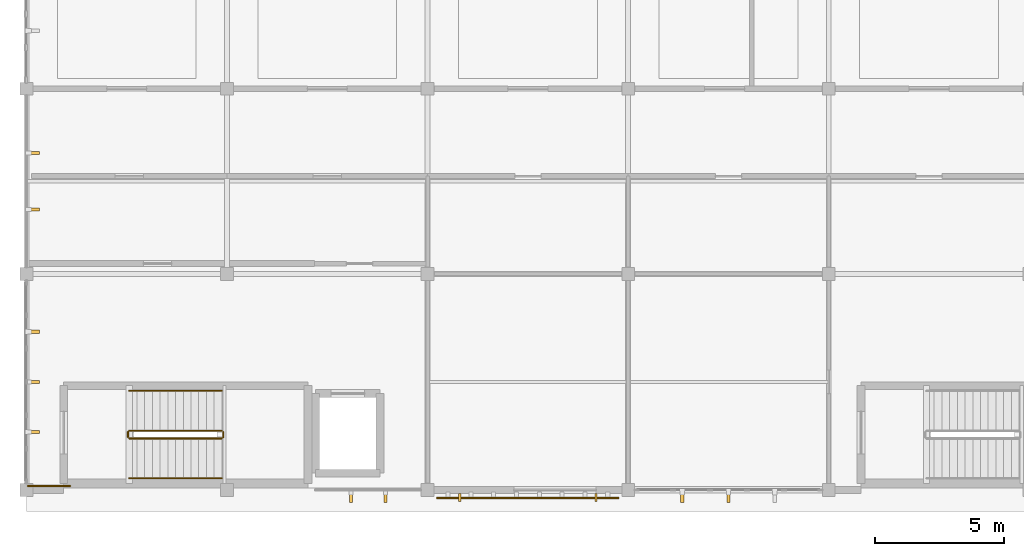
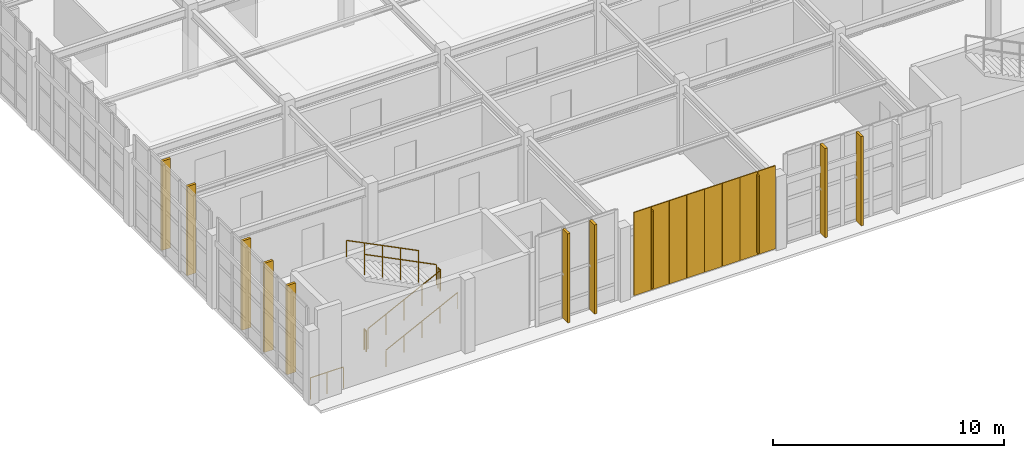
# One storey, part 16 of 20: 17 coverings, 7 railings, 2 shading devices.
"""IFC4 building model written with IfcOpenShell, lengths in metres."""

from ifc_helpers import new_model, si_unit, direction, frame, origin, origin_2d, place, context, subcontext, project, spatial, rectangle, circle, extrude, material, layer, layer_set, type_object, element, save


model = new_model("IFC4")

# Units and contexts
model_context = context("Model", 3, precision=1e-05, world=origin(), true_north=direction((0.0, 1.0)))
body_context = subcontext(model_context, "Body", "Model", "MODEL_VIEW")
ifc_project = project(units=[si_unit("LENGTHUNIT", "METRE"), si_unit("AREAUNIT", "SQUARE_METRE"), si_unit("VOLUMEUNIT", "CUBIC_METRE"), si_unit("PLANEANGLEUNIT", "RADIAN"), si_unit("MASSUNIT", "GRAM", prefix="KILO")], contexts=[model_context])

# Site, building, storey
site_placement = place(None, origin())
site = spatial("IfcSite", under=ifc_project, at=site_placement, CompositionType="ELEMENT")
building_placement = place(site_placement, origin())
building = spatial("IfcBuilding", under=site, at=building_placement, Name="Tizgana Railside Sports Hall", CompositionType="ELEMENT")
storey_placement = place(building_placement, frame((0.0, 0.0, 19.800048828125)))
storey = spatial("IfcBuildingStorey", under=building, at=storey_placement, Name="L04", CompositionType="ELEMENT", Elevation=19.800048828125)

# Shading devices
ifc_material_1 = material(Name="Glulam GL28h", Category="wood")
shading_device_type = type_object("IfcShadingDeviceType", Name="Glulam Vertical Brise-Soleil Fin 320", PredefinedType="JALOUSIE", material=ifc_material_1)
for number, where, z_axis, x_axis, name in (
    (1, (29.949951171875, -0.2939453125, 0.349853515625), (0.0, 0.0, 1.0), (-1.0, 0.0, 0.0), "L04 Glulam Fin FIN-0051"),
    (2, (24.64990234375, -0.2939453125, 0.349853515625), (0.0, 0.0, 1.0), (-1.0, 0.0, 0.0), "L04 Glulam Fin FIN-0052"),
):
    element("IfcShadingDevice", number, at=place(storey_placement, frame(where, z_axis=z_axis, x_axis=x_axis)), inside=storey, type_object=shading_device_type, Name=name, PredefinedType="JALOUSIE", context=body_context, shape_type="SweptSolid", body=[
        extrude(rectangle(XDim=0.080078125, YDim=0.320068359375, at=origin_2d()), origin(), (0.0, 0.0, 1.0), 4.10009765625),
    ])

# Coverings
ifc_layer_1 = layer(ifc_material_1, 0.139892578125, Name="Glulam GL28h")
ifc_layer_set_1 = layer_set([ifc_layer_1], Name="Glulam GL28h")
covering_type_1 = type_object("IfcCoveringType", Name="Mass-Timber Brise-Soleil & Pergola Fin", PredefinedType="CLADDING", material=ifc_layer_set_1)
for number, where, z_axis, x_axis, name in (
    (3, (21.756591796875, -0.280029296875, 0.0400390625), (0.0, 0.0, 1.0), (-1.0, 0.0, 0.0), "L04 Timber Brise-Soleil Fin"),
    (4, (20.418212890625, -0.280029296875, 0.0400390625), (0.0, 0.0, 1.0), (-1.0, 0.0, 0.0), "L04 Timber Brise-Soleil Fin"),
    (5, (35.10009765625, -0.280029296875, 0.0400390625), (0.0, 0.0, 1.0), (-1.0, 0.0, 0.0), "L04 Timber Brise-Soleil Fin"),
    (6, (33.302490234375, -0.280029296875, 0.0400390625), (0.0, 0.0, 1.0), (-1.0, 0.0, 0.0), "L04 Timber Brise-Soleil Fin"),
    (7, (8.080078125, 6.1474609375, 0.0400390625), (0.0, 0.0, 1.0), (0.0, -1.0, 0.0), "L04 Timber Brise-Soleil Fin"),
    (8, (8.080078125, 4.199951171875, 0.0400390625), (0.0, 0.0, 1.0), (0.0, -1.0, 0.0), "L04 Timber Brise-Soleil Fin"),
    (9, (8.080078125, 2.25244140625, 0.0400390625), (0.0, 0.0, 1.0), (0.0, -1.0, 0.0), "L04 Timber Brise-Soleil Fin"),
    (10, (8.080078125, 13.098388671875, 0.0400390625), (0.0, 0.0, 1.0), (0.0, -1.0, 0.0), "L04 Timber Brise-Soleil Fin"),
    (11, (8.080078125, 10.901611328125, 0.0400390625), (0.0, 0.0, 1.0), (0.0, -1.0, 0.0), "L04 Timber Brise-Soleil Fin"),
):
    element("IfcCovering", number, at=place(storey_placement, frame(where, z_axis=z_axis, x_axis=x_axis)), inside=storey, type_object=covering_type_1, Name=name, PredefinedType="CLADDING", context=body_context, shape_type="SweptSolid", body=[
        extrude(rectangle(XDim=0.1201171875, YDim=0.43994140625, at=origin_2d()), origin(), (0.0, 0.0, 1.0), 4.719970703125),
    ])
ifc_material_2 = material(Name="Anodised perforated aluminium screen", Category="aluminium")
ifc_layer_2 = layer(ifc_material_2, 0.044921875, Name="Anodised perforated aluminium screen")
ifc_layer_set_2 = layer_set([ifc_layer_2], Name="Anodised perforated aluminium screen")
covering_type_2 = type_object("IfcCoveringType", Name="Perforated Aluminium Hall Screen 900", PredefinedType="CLADDING", material=ifc_layer_set_2)
for number, where, z_axis, x_axis, name in (
    (12, (30.40625, -0.31494140625, 0.199951171875), (0.0, 0.0, 1.0), (-1.0, 0.0, 0.0), "L04 Perforated Screen SCR-0606"),
    (13, (29.518798828125, -0.31494140625, 0.199951171875), (0.0, 0.0, 1.0), (-1.0, 0.0, 0.0), "L04 Perforated Screen SCR-0607"),
    (14, (28.631103515625, -0.31494140625, 0.199951171875), (0.0, 0.0, 1.0), (-1.0, 0.0, 0.0), "L04 Perforated Screen SCR-0608"),
    (15, (27.74365234375, -0.31494140625, 0.199951171875), (0.0, 0.0, 1.0), (-1.0, 0.0, 0.0), "L04 Perforated Screen SCR-0609"),
    (16, (26.856201171875, -0.31494140625, 0.199951171875), (0.0, 0.0, 1.0), (-1.0, 0.0, 0.0), "L04 Perforated Screen SCR-0610"),
    (17, (25.96875, -0.31494140625, 0.199951171875), (0.0, 0.0, 1.0), (-1.0, 0.0, 0.0), "L04 Perforated Screen SCR-0611"),
    (18, (25.081298828125, -0.31494140625, 0.199951171875), (0.0, 0.0, 1.0), (-1.0, 0.0, 0.0), "L04 Perforated Screen SCR-0612"),
    (19, (24.19384765625, -0.31494140625, 0.199951171875), (0.0, 0.0, 1.0), (-1.0, 0.0, 0.0), "L04 Perforated Screen SCR-0613"),
):
    element("IfcCovering", number, at=place(storey_placement, frame(where, z_axis=z_axis, x_axis=x_axis)), inside=storey, type_object=covering_type_2, Name=name, PredefinedType="CLADDING", context=body_context, shape_type="SweptSolid", body=[
        extrude(rectangle(XDim=0.869384765625, YDim=0.044921875, at=origin_2d()), origin(), (0.0, 0.0, 1.0), 4.39990234375),
    ])

# Railings
ifc_material_3 = material(Name="Galvanised steel sheet", Category="steel")
railing_type_1 = type_object("IfcRailingType", Name="Safety Balustrade Guard 1100", PredefinedType="BALUSTRADE", material=ifc_material_3)
railing_1_placement = place(storey_placement, frame((11.800048828125, 2.0, 0.14990234375)))
element("IfcRailing", 20, at=railing_1_placement, inside=storey, type_object=railing_type_1, Name="L04 ST-01 stair guard 1", PredefinedType="BALUSTRADE", context=body_context, shape_type="SweptSolid", body=[
    extrude(circle(Radius=0.02392578125, at=origin_2d()), frame((0.0, 0.0, 1.076171875), z_axis=(0.894415058897, 0.0, 0.447237858884), x_axis=(0.0, 1.0, 0.0)), (0.0, 0.0, 1.0), 4.02490234375),
    extrude(circle(Radius=0.02099609375, at=origin_2d()), origin(), (0.0, 0.0, 1.0), 1.052001953125),
    extrude(circle(Radius=0.02099609375, at=origin_2d()), frame((0.89990234375, 0.0, 0.449951171875)), (0.0, 0.0, 1.0), 1.052001953125),
    extrude(circle(Radius=0.02099609375, at=origin_2d()), frame((1.7998046875, 0.0, 0.89990234375)), (0.0, 0.0, 1.0), 1.052001953125),
    extrude(circle(Radius=0.02099609375, at=origin_2d()), frame((2.699951171875, 0.0, 1.35009765625)), (0.0, 0.0, 1.0), 1.052001953125),
    extrude(circle(Radius=0.02099609375, at=origin_2d()), frame((3.599853515625, 0.0, 1.800048828125)), (0.0, 0.0, 1.0), 1.052001953125),
])
railing_2_placement = place(storey_placement, frame((15.449951171875, 2.050048828125, 1.949951171875)))
element("IfcRailing", 21, at=railing_2_placement, inside=storey, type_object=railing_type_1, Name="L04 ST-01 stair guard 2", PredefinedType="BALUSTRADE", context=body_context, shape_type="SweptSolid", body=[
    extrude(circle(Radius=0.02392578125, at=origin_2d()), frame((0.0, 0.0, 1.076171875), z_axis=(0.0, 1.0, 0.0), x_axis=(-1.0, 0.0, 0.0)), (0.0, 0.0, 1.0), 0.199951171875),
    extrude(circle(Radius=0.02099609375, at=origin_2d()), origin(), (0.0, 0.0, 1.0), 1.052001953125),
    extrude(circle(Radius=0.02099609375, at=origin_2d()), frame((0.0, 0.199951171875, 0.0)), (0.0, 0.0, 1.0), 1.052001953125),
])
railing_3_placement = place(storey_placement, frame((15.39990234375, 2.300048828125, 2.099853515625)))
element("IfcRailing", 22, at=railing_3_placement, inside=storey, type_object=railing_type_1, Name="L04 ST-01 stair guard 3", PredefinedType="BALUSTRADE", context=body_context, shape_type="SweptSolid", body=[
    extrude(circle(Radius=0.02392578125, at=origin_2d()), frame((0.0, 0.0, 1.076171875), z_axis=(-0.894415058897, 0.0, 0.447237858884), x_axis=(0.0, -1.0, 0.0)), (0.0, 0.0, 1.0), 4.02490234375),
    extrude(circle(Radius=0.02099609375, at=origin_2d()), origin(), (0.0, 0.0, 1.0), 1.052001953125),
    extrude(circle(Radius=0.02099609375, at=origin_2d()), frame((-0.89990234375, 0.0, 0.449951171875)), (0.0, 0.0, 1.0), 1.052001953125),
    extrude(circle(Radius=0.02099609375, at=origin_2d()), frame((-1.7998046875, 0.0, 0.89990234375)), (0.0, 0.0, 1.0), 1.052001953125),
    extrude(circle(Radius=0.02099609375, at=origin_2d()), frame((-2.699951171875, 0.0, 1.35009765625)), (0.0, 0.0, 1.0), 1.052001953125),
    extrude(circle(Radius=0.02099609375, at=origin_2d()), frame((-3.599853515625, 0.0, 1.800048828125)), (0.0, 0.0, 1.0), 1.052001953125),
])
railing_4_placement = place(storey_placement, frame((11.75, 2.050048828125, 0.0)))
element("IfcRailing", 23, at=railing_4_placement, inside=storey, type_object=railing_type_1, Name="L04 ST-01 stair guard 4", PredefinedType="BALUSTRADE", context=body_context, shape_type="SweptSolid", body=[
    extrude(circle(Radius=0.02392578125, at=origin_2d()), frame((0.0, 0.0, 1.076171875), z_axis=(0.0, 1.0, 0.0), x_axis=(-1.0, 0.0, 0.0)), (0.0, 0.0, 1.0), 0.199951171875),
    extrude(circle(Radius=0.02099609375, at=origin_2d()), origin(), (0.0, 0.0, 1.0), 1.052001953125),
    extrude(circle(Radius=0.02099609375, at=origin_2d()), frame((0.0, 0.199951171875, 0.0)), (0.0, 0.0, 1.0), 1.052001953125),
])
ifc_material_4 = material(Name="Brushed stainless steel", Category="steel")
railing_type_2 = type_object("IfcRailingType", Name="Stair & Ramp Wall Handrail 900", PredefinedType="HANDRAIL", material=ifc_material_4)
railing_5_placement = place(storey_placement, frame((11.800048828125, 0.449951171875, 0.14990234375)))
element("IfcRailing", 24, at=railing_5_placement, inside=storey, type_object=railing_type_2, Name="L04 ST-01 stair handrail 1", PredefinedType="HANDRAIL", context=body_context, shape_type="SweptSolid", body=[
    extrude(circle(Radius=0.02392578125, at=origin_2d()), frame((0.0, 0.0, 0.8759765625), z_axis=(0.894415058897, 0.0, 0.447237858884), x_axis=(0.0, 1.0, 0.0)), (0.0, 0.0, 1.0), 4.02490234375),
    extrude(circle(Radius=0.02099609375, at=origin_2d()), origin(), (0.0, 0.0, 1.0), 0.851806640625),
    extrude(circle(Radius=0.02099609375, at=origin_2d()), frame((0.89990234375, 0.0, 0.449951171875)), (0.0, 0.0, 1.0), 0.851806640625),
    extrude(circle(Radius=0.02099609375, at=origin_2d()), frame((1.7998046875, 0.0, 0.89990234375)), (0.0, 0.0, 1.0), 0.851806640625),
    extrude(circle(Radius=0.02099609375, at=origin_2d()), frame((2.699951171875, 0.0, 1.35009765625)), (0.0, 0.0, 1.0), 0.851806640625),
    extrude(circle(Radius=0.02099609375, at=origin_2d()), frame((3.599853515625, 0.0, 1.800048828125)), (0.0, 0.0, 1.0), 0.851806640625),
])
railing_6_placement = place(storey_placement, frame((15.39990234375, 3.85009765625, 2.099853515625)))
element("IfcRailing", 25, at=railing_6_placement, inside=storey, type_object=railing_type_2, Name="L04 ST-01 stair handrail 2", PredefinedType="HANDRAIL", context=body_context, shape_type="SweptSolid", body=[
    extrude(circle(Radius=0.02392578125, at=origin_2d()), frame((0.0, 0.0, 0.8759765625), z_axis=(-0.894415058897, 0.0, 0.447237858884), x_axis=(0.0, -1.0, 0.0)), (0.0, 0.0, 1.0), 4.02490234375),
    extrude(circle(Radius=0.02099609375, at=origin_2d()), origin(), (0.0, 0.0, 1.0), 0.851806640625),
    extrude(circle(Radius=0.02099609375, at=origin_2d()), frame((-0.89990234375, 0.0, 0.449951171875)), (0.0, 0.0, 1.0), 0.851806640625),
    extrude(circle(Radius=0.02099609375, at=origin_2d()), frame((-1.7998046875, 0.0, 0.89990234375)), (0.0, 0.0, 1.0), 0.851806640625),
    extrude(circle(Radius=0.02099609375, at=origin_2d()), frame((-2.699951171875, 0.0, 1.35009765625)), (0.0, 0.0, 1.0), 0.851806640625),
    extrude(circle(Radius=0.02099609375, at=origin_2d()), frame((-3.599853515625, 0.0, 1.800048828125)), (0.0, 0.0, 1.0), 0.851806640625),
])
ifc_material_5 = material(Name="Anodised aluminium", Category="aluminium")
railing_type_3 = type_object("IfcRailingType", Name="Terrace & Track Guard 1150", PredefinedType="BALUSTRADE", material=ifc_material_5)
railing_7_placement = place(storey_placement, frame((7.85009765625, 0.14990234375, 0.0)))
element("IfcRailing", 26, at=railing_7_placement, inside=storey, type_object=railing_type_3, Name="L04 Safety Guard GRD-0028", PredefinedType="BALUSTRADE", context=body_context, shape_type="SweptSolid", body=[
    extrude(circle(Radius=0.02392578125, at=origin_2d()), frame((0.0, 0.0, 1.1259765625), z_axis=(1.0, 0.0, 0.0), x_axis=(0.0, 1.0, 0.0)), (0.0, 0.0, 1.0), 1.64990234375),
    extrude(circle(Radius=0.02099609375, at=origin_2d()), origin(), (0.0, 0.0, 1.0), 1.101806640625),
    extrude(circle(Radius=0.02099609375, at=origin_2d()), frame((0.824951171875, 0.0, 0.0)), (0.0, 0.0, 1.0), 1.101806640625),
    extrude(circle(Radius=0.02099609375, at=origin_2d()), frame((1.64990234375, 0.0, 0.0)), (0.0, 0.0, 1.0), 1.101806640625),
])

save(model, "model.ifc")
